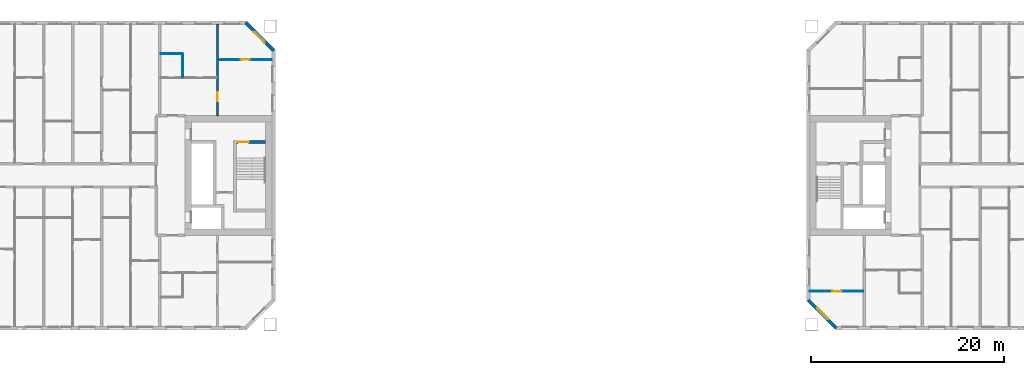
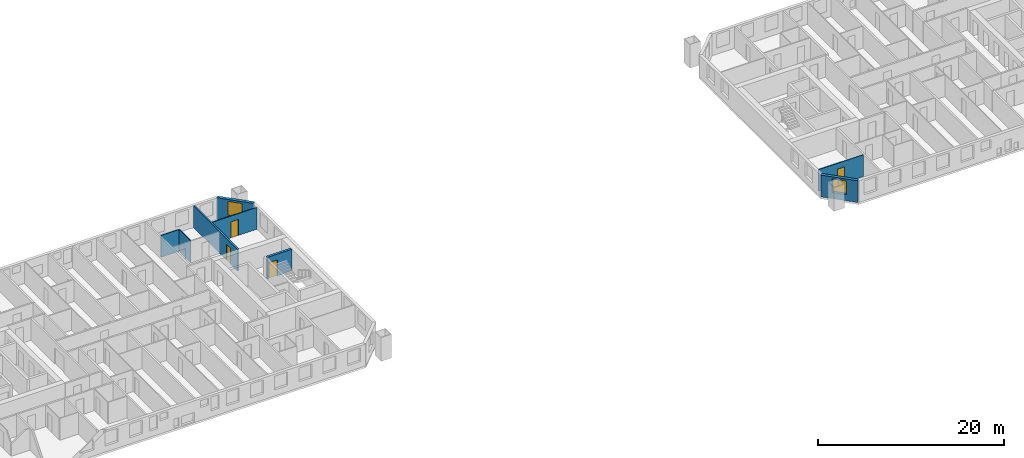
# One storey, part 8 of 16: 8 walls, 4 doors, 2 windows, 6 openings.
"""IFC4 building model written with IfcOpenShell, lengths in metres."""

from ifc_helpers import new_model, si_unit, direction, frame, frame_2d, origin, place, context, subcontext, project, spatial, rectangle, extrude, material, layer, layer_set, type_object, element, fill, save


model = new_model("IFC4")

# Units and contexts
model_context = context("Model", 3, precision=1e-05, world=origin(), true_north=direction((0.0, 1.0)))
body_context = subcontext(model_context, "Body", "Model", "MODEL_VIEW")
ifc_project = project(units=[si_unit("LENGTHUNIT", "METRE"), si_unit("AREAUNIT", "SQUARE_METRE"), si_unit("VOLUMEUNIT", "CUBIC_METRE"), si_unit("PLANEANGLEUNIT", "RADIAN"), si_unit("MASSUNIT", "GRAM", prefix="KILO")], contexts=[model_context])

# Site, building, storey
site_placement = place(None, origin())
site = spatial("IfcSite", under=ifc_project, at=site_placement, CompositionType="ELEMENT")
building_placement = place(site_placement, origin())
building = spatial("IfcBuilding", under=site, at=building_placement, Name="Tuart Gate Housing", CompositionType="ELEMENT")
storey_placement = place(building_placement, frame((0.0, 0.0, 111.89990234375)))
storey = spatial("IfcBuildingStorey", under=building, at=storey_placement, Name="L31", CompositionType="ELEMENT", Elevation=111.89990234375)

# Wall, opening, window
ifc_material_1 = material(Name="Brick", Category="masonry")
ifc_layer_1 = layer(ifc_material_1, 0.360107421875)
ifc_layer_set_1 = layer_set([ifc_layer_1], Name="Brick pier and spandrel wall 360")
wall_type_1 = type_object("IfcWallType", Name="Brick pier and spandrel wall 360", PredefinedType="STANDARD", material=ifc_layer_set_1)
wall_1_placement = place(storey_placement, frame((75.820068359375, 82.92529296875, 0.0), z_axis=(0.0, 0.0, 1.0), x_axis=(-0.707106781187, 0.707106781187, 0.0)))
wall_1 = element("IfcWall", 1, at=wall_1_placement, inside=storey, type_object=wall_type_1, Name="External wall A-NE L31", PredefinedType="STANDARD", context=body_context, shape_type="SweptSolid", body=[
    extrude(rectangle(XDim=4.09375, YDim=0.360107421875, at=frame_2d((2.046875, 0.0))), origin(), (0.0, 0.0, 1.0), 2.85009765625),
])
opening_1_placement = place(wall_1_placement, frame((1.2470703125, 0.0, 0.800048828125)))
opening_1 = element("IfcOpeningElement", 2, at=opening_1_placement, cuts=wall_1, Name="Opening W1", PredefinedType="OPENING", context=body_context, shape_type="SweptSolid", body=[
    extrude(rectangle(XDim=1.60009765625, YDim=1.800048828125, at=frame_2d((0.800048828125, 0.89990234375))), frame((0.0, 0.18994140625, 0.0), z_axis=(0.0, -1.0, 0.0), x_axis=(1.0, 0.0, 0.0)), (0.0, 0.0, 1.0), 0.380126953125),
])
ifc_material_2 = material(Name="Aluminium frame with clear glass", Category="aluminium")
window_type = type_object("IfcWindowType", Name="Punched window 1600 x 1800", PartitioningType="SINGLE_PANEL", PredefinedType="WINDOW", material=ifc_material_2)
window_1_placement = place(opening_1_placement, origin())
window_1 = element("IfcWindow", 3, at=window_1_placement, inside=storey, type_object=window_type, Name="Window W1", OverallHeight=1.800048828125, OverallWidth=1.60009765625, PartitioningType="SINGLE_PANEL", PredefinedType="WINDOW", context=body_context, shape_type="SweptSolid", body=[
    extrude(rectangle(XDim=1.60009765625, YDim=1.800048828125, at=frame_2d((0.800048828125, 0.89990234375))), frame((0.0, 0.150146484375, 0.0), z_axis=(0.0, -1.0, 0.0), x_axis=(1.0, 0.0, 0.0)), (0.0, 0.0, 1.0), 0.06005859375),
])
fill(opening_1, window_1)

wall_2_placement = place(storey_placement, frame((131.179931640625, 57.07470703125, 0.0), z_axis=(0.0, 0.0, 1.0), x_axis=(0.707106781187, -0.707106781187, 0.0)))
wall_2 = element("IfcWall", 4, at=wall_2_placement, inside=storey, type_object=wall_type_1, Name="External wall B-SW L31", PredefinedType="STANDARD", context=body_context, shape_type="SweptSolid", body=[
    extrude(rectangle(XDim=4.09375, YDim=0.360107421875, at=frame_2d((2.046875, 0.0))), origin(), (0.0, 0.0, 1.0), 2.85009765625),
])
opening_2_placement = place(wall_2_placement, frame((1.2470703125, 0.0, 0.800048828125)))
opening_2 = element("IfcOpeningElement", 5, at=opening_2_placement, cuts=wall_2, Name="Opening W1", PredefinedType="OPENING", context=body_context, shape_type="SweptSolid", body=[
    extrude(rectangle(XDim=1.60009765625, YDim=1.800048828125, at=frame_2d((0.800048828125, 0.89990234375))), frame((0.0, 0.18994140625, 0.0), z_axis=(0.0, -1.0, 0.0), x_axis=(1.0, 0.0, 0.0)), (0.0, 0.0, 1.0), 0.380126953125),
])
window_2_placement = place(opening_2_placement, origin())
window_2 = element("IfcWindow", 6, at=window_2_placement, inside=storey, type_object=window_type, Name="Window W1", OverallHeight=1.800048828125, OverallWidth=1.60009765625, PartitioningType="SINGLE_PANEL", PredefinedType="WINDOW", context=body_context, shape_type="SweptSolid", body=[
    extrude(rectangle(XDim=1.60009765625, YDim=1.800048828125, at=frame_2d((0.800048828125, 0.89990234375))), frame((0.0, 0.150146484375, 0.0), z_axis=(0.0, -1.0, 0.0), x_axis=(1.0, 0.0, 0.0)), (0.0, 0.0, 1.0), 0.06005859375),
])
fill(opening_2, window_2)

# Wall, opening, door
ifc_material_3 = material(Name="Concrete C50", Category="concrete")
ifc_layer_2 = layer(ifc_material_3, 0.300048828125)
ifc_layer_set_2 = layer_set([ifc_layer_2], Name="Core wall 300 C50")
wall_type_2 = type_object("IfcWallType", Name="Core wall 300 C50", PredefinedType="SHEAR", material=ifc_layer_set_2)
wall_3_placement = place(storey_placement, frame((71.93994140625, 73.449951171875, 0.0), z_axis=(0.0, 0.0, 1.0), x_axis=(1.0, 0.0, 0.0)))
wall_3 = element("IfcWall", 7, at=wall_3_placement, inside=storey, type_object=wall_type_2, Name="Core wall AG.5", PredefinedType="SHEAR", context=body_context, shape_type="SweptSolid", body=[
    extrude(rectangle(XDim=3.050048828125, YDim=0.300048828125, at=frame_2d((1.52490234375, 0.0))), origin(), (0.0, 0.0, 1.0), 2.85009765625),
])
opening_3_placement = place(wall_3_placement, frame((0.169921875, 0.0, 0.0)))
opening_3 = element("IfcOpeningElement", 8, at=opening_3_placement, cuts=wall_3, Name="Opening D1201", PredefinedType="OPENING", context=body_context, shape_type="SweptSolid", body=[
    extrude(rectangle(XDim=1.10009765625, YDim=2.10009765625, at=frame_2d((0.550048828125, 1.050048828125))), frame((0.0, 0.159912109375, 0.0), z_axis=(0.0, -1.0, 0.0), x_axis=(1.0, 0.0, 0.0)), (0.0, 0.0, 1.0), 0.320068359375),
])
ifc_material_4 = material(Name="Steel fire door", Category="steel")
door_type_1 = type_object("IfcDoorType", Name="Stair door 1100 x 2100 RH", OperationType="SINGLE_SWING_RIGHT", PredefinedType="DOOR", material=ifc_material_4)
door_1_placement = place(opening_3_placement, frame((1.10009765625, 0.0, 0.0), z_axis=(0.0, 0.0, 1.0), x_axis=(-1.0, 0.0, 0.0)))
door_1 = element("IfcDoor", 9, at=door_1_placement, inside=storey, type_object=door_type_1, Name="Stair door AG.SD", OperationType="SINGLE_SWING_RIGHT", OverallHeight=2.10009765625, OverallWidth=1.10009765625, PredefinedType="DOOR", context=body_context, shape_type="SweptSolid", body=[
    extrude(rectangle(XDim=1.10009765625, YDim=2.10009765625, at=frame_2d((0.550048828125, 1.050048828125))), frame((0.0, 0.025146484375, 0.0), z_axis=(0.0, -1.0, 0.0), x_axis=(1.0, 0.0, 0.0)), (0.0, 0.0, 1.0), 0.050048828125),
])
fill(opening_3, door_1)

ifc_material_5 = material(Name="Gypsum board on steel studs", Category="steel")
ifc_layer_3 = layer(ifc_material_5, 0.10009765625)
ifc_layer_set_3 = layer_set([ifc_layer_3], Name="Partition 100")
wall_type_3 = type_object("IfcWallType", Name="Partition 100", PredefinedType="PARTITIONING", material=ifc_layer_set_3)
wall_4_placement = place(storey_placement, frame((131.360107421875, 58.0, 0.0), z_axis=(0.0, 0.0, 1.0), x_axis=(1.0, 0.0, 0.0)))
wall_4 = element("IfcWall", 10, at=wall_4_placement, inside=storey, type_object=wall_type_3, Name="Partition 100", PredefinedType="PARTITIONING", context=body_context, shape_type="SweptSolid", body=[
    extrude(rectangle(XDim=5.539794921875, YDim=0.10009765625, at=frame_2d((2.77001953125, 0.0))), origin(), (0.0, 0.0, 1.0), 2.85009765625),
])
opening_4_placement = place(wall_4_placement, frame((2.320068359375, 0.0, 0.0)))
opening_4 = element("IfcOpeningElement", 11, at=opening_4_placement, cuts=wall_4, Name="Opening D1289", PredefinedType="OPENING", context=body_context, shape_type="SweptSolid", body=[
    extrude(rectangle(XDim=0.89990234375, YDim=2.10009765625, at=frame_2d((0.449951171875, 1.050048828125))), frame((0.0, 0.06005859375, 0.0), z_axis=(0.0, -1.0, 0.0), x_axis=(1.0, 0.0, 0.0)), (0.0, 0.0, 1.0), 0.1201171875),
])
ifc_material_6 = material(Name="Timber door leaf in steel frame", Category="steel")
door_type_2 = type_object("IfcDoorType", Name="Internal door 900 RH", OperationType="SINGLE_SWING_RIGHT", PredefinedType="DOOR", material=ifc_material_6)
door_2_placement = place(opening_4_placement, frame((0.89990234375, 0.0, 0.0), z_axis=(0.0, 0.0, 1.0), x_axis=(-1.0, 0.0, 0.0)))
door_2 = element("IfcDoor", 12, at=door_2_placement, inside=storey, type_object=door_type_2, Name="Internal door", OperationType="SINGLE_SWING_RIGHT", OverallHeight=2.10009765625, OverallWidth=0.89990234375, PredefinedType="DOOR", context=body_context, shape_type="SweptSolid", body=[
    extrude(rectangle(XDim=0.89990234375, YDim=2.10009765625, at=frame_2d((0.449951171875, 1.050048828125))), frame((0.0, 0.025146484375, 0.0), z_axis=(0.0, -1.0, 0.0), x_axis=(1.0, 0.0, 0.0)), (0.0, 0.0, 1.0), 0.050048828125),
])
fill(opening_4, door_2)

wall_5_placement = place(storey_placement, frame((70.10009765625, 82.0, 0.0), z_axis=(0.0, 0.0, 1.0), x_axis=(1.0, 0.0, 0.0)))
wall_5 = element("IfcWall", 13, at=wall_5_placement, inside=storey, type_object=wall_type_3, Name="Partition 100", PredefinedType="PARTITIONING", context=body_context, shape_type="SweptSolid", body=[
    extrude(rectangle(XDim=5.539794921875, YDim=0.10009765625, at=frame_2d((2.77001953125, 0.0))), origin(), (0.0, 0.0, 1.0), 2.85009765625),
])
opening_5_placement = place(wall_5_placement, frame((2.320068359375, 0.0, 0.0)))
opening_5 = element("IfcOpeningElement", 14, at=opening_5_placement, cuts=wall_5, Name="Opening D1178", PredefinedType="OPENING", context=body_context, shape_type="SweptSolid", body=[
    extrude(rectangle(XDim=0.89990234375, YDim=2.10009765625, at=frame_2d((0.449951171875, 1.050048828125))), frame((0.0, 0.06005859375, 0.0), z_axis=(0.0, -1.0, 0.0), x_axis=(1.0, 0.0, 0.0)), (0.0, 0.0, 1.0), 0.1201171875),
])
door_3_placement = place(opening_5_placement, origin())
door_3 = element("IfcDoor", 15, at=door_3_placement, inside=storey, type_object=door_type_2, Name="Internal door", OperationType="SINGLE_SWING_RIGHT", OverallHeight=2.10009765625, OverallWidth=0.89990234375, PredefinedType="DOOR", context=body_context, shape_type="SweptSolid", body=[
    extrude(rectangle(XDim=0.89990234375, YDim=2.10009765625, at=frame_2d((0.449951171875, 1.050048828125))), frame((0.0, 0.02490234375, 0.0), z_axis=(0.0, -1.0, 0.0), x_axis=(1.0, 0.0, 0.0)), (0.0, 0.0, 1.0), 0.050048828125),
])
fill(opening_5, door_3)

# Walls
wall_6_placement = place(storey_placement, frame((64.10009765625, 82.60009765625, 0.0), z_axis=(0.0, 0.0, 1.0), x_axis=(1.0, 0.0, 0.0)))
element("IfcWall", 16, at=wall_6_placement, inside=storey, type_object=wall_type_3, Name="Partition 100", PredefinedType="PARTITIONING", context=body_context, shape_type="SweptSolid", body=[
    extrude(rectangle(XDim=2.2998046875, YDim=0.10009765625, at=frame_2d((1.14990234375, 0.0))), origin(), (0.0, 0.0, 1.0), 2.85009765625),
])
wall_7_placement = place(storey_placement, frame((66.39990234375, 80.14990234375, 0.0), z_axis=(0.0, 0.0, 1.0), x_axis=(0.0, 1.0, 0.0)))
element("IfcWall", 17, at=wall_7_placement, inside=storey, type_object=wall_type_3, Name="Partition 100", PredefinedType="PARTITIONING", context=body_context, shape_type="SweptSolid", body=[
    extrude(rectangle(XDim=2.400146484375, YDim=0.10009765625, at=frame_2d((1.2001953125, 0.0))), origin(), (0.0, 0.0, 1.0), 2.85009765625),
])

# Wall, opening, door
ifc_material_7 = material(Name="Concrete C40", Category="concrete")
ifc_layer_4 = layer(ifc_material_7, 0.199951171875)
ifc_layer_set_4 = layer_set([ifc_layer_4], Name="Party wall concrete C40 200")
wall_type_4 = type_object("IfcWallType", Name="Party wall concrete C40 200", PredefinedType="SOLIDWALL", material=ifc_layer_set_4)
wall_8_placement = place(storey_placement, frame((70.0, 76.199951171875, 0.0), z_axis=(0.0, 0.0, 1.0), x_axis=(0.0, 1.0, 0.0)))
wall_8 = element("IfcWall", 18, at=wall_8_placement, inside=storey, type_object=wall_type_4, Name="Party wall concrete C40 200", PredefinedType="SOLIDWALL", context=body_context, shape_type="SweptSolid", body=[
    extrude(rectangle(XDim=9.43994140625, YDim=0.199951171875, at=frame_2d((4.719970703125, 0.0))), origin(), (0.0, 0.0, 1.0), 2.85009765625),
])
opening_6_placement = place(wall_8_placement, frame((1.5, 0.0, 0.0)))
opening_6 = element("IfcOpeningElement", 19, at=opening_6_placement, cuts=wall_8, Name="Opening D1179", PredefinedType="OPENING", context=body_context, shape_type="SweptSolid", body=[
    extrude(rectangle(XDim=0.89990234375, YDim=2.10009765625, at=frame_2d((0.449951171875, 1.050048828125))), frame((0.0, 0.10986328125, 0.0), z_axis=(0.0, -1.0, 0.0), x_axis=(1.0, 0.0, 0.0)), (0.0, 0.0, 1.0), 0.219970703125),
])
ifc_material_8 = material(Name="Timber door leaf in steel frame", Category="steel")
door_type_3 = type_object("IfcDoorType", Name="Internal door 900", OperationType="SINGLE_SWING_LEFT", PredefinedType="DOOR", material=ifc_material_8)
door_4_placement = place(opening_6_placement, origin())
door_4 = element("IfcDoor", 20, at=door_4_placement, inside=storey, type_object=door_type_3, Name="Internal door", OperationType="SINGLE_SWING_LEFT", OverallHeight=2.10009765625, OverallWidth=0.89990234375, PredefinedType="DOOR", context=body_context, shape_type="SweptSolid", body=[
    extrude(rectangle(XDim=0.89990234375, YDim=2.10009765625, at=frame_2d((0.449951171875, 1.050048828125))), frame((0.0, 0.02490234375, 0.0), z_axis=(0.0, -1.0, 0.0), x_axis=(1.0, 0.0, 0.0)), (0.0, 0.0, 1.0), 0.050048828125),
])
fill(opening_6, door_4)

save(model, "model.ifc")
